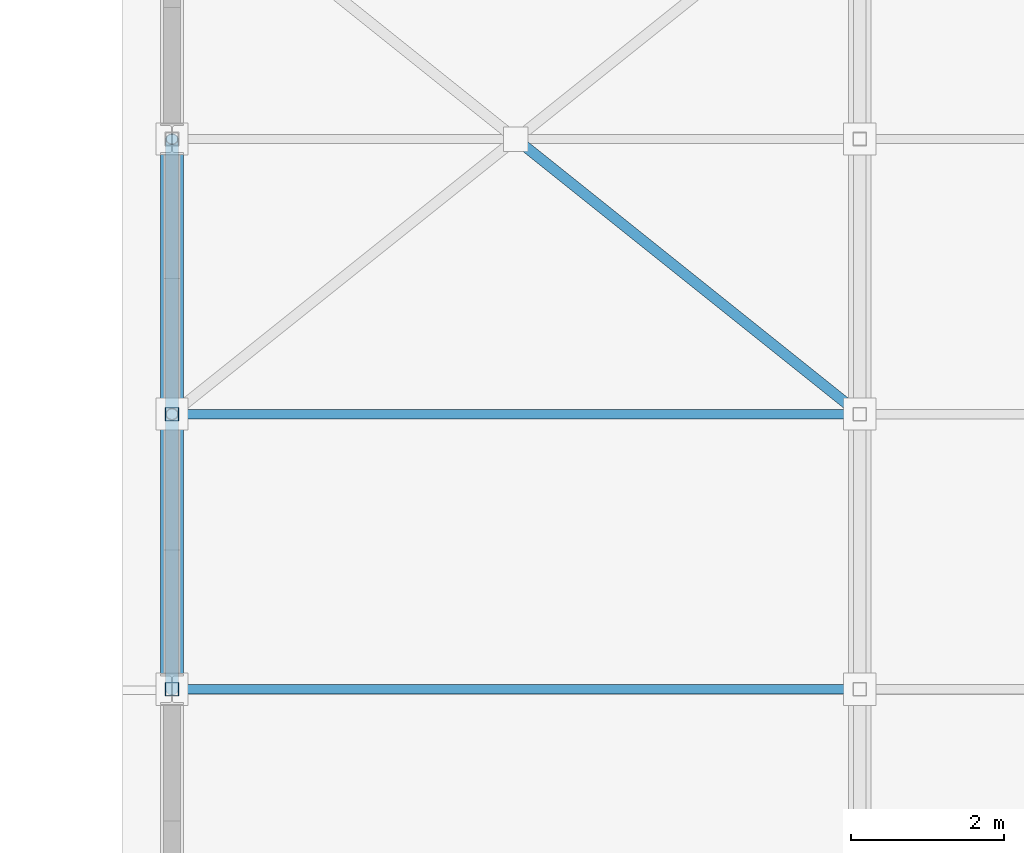
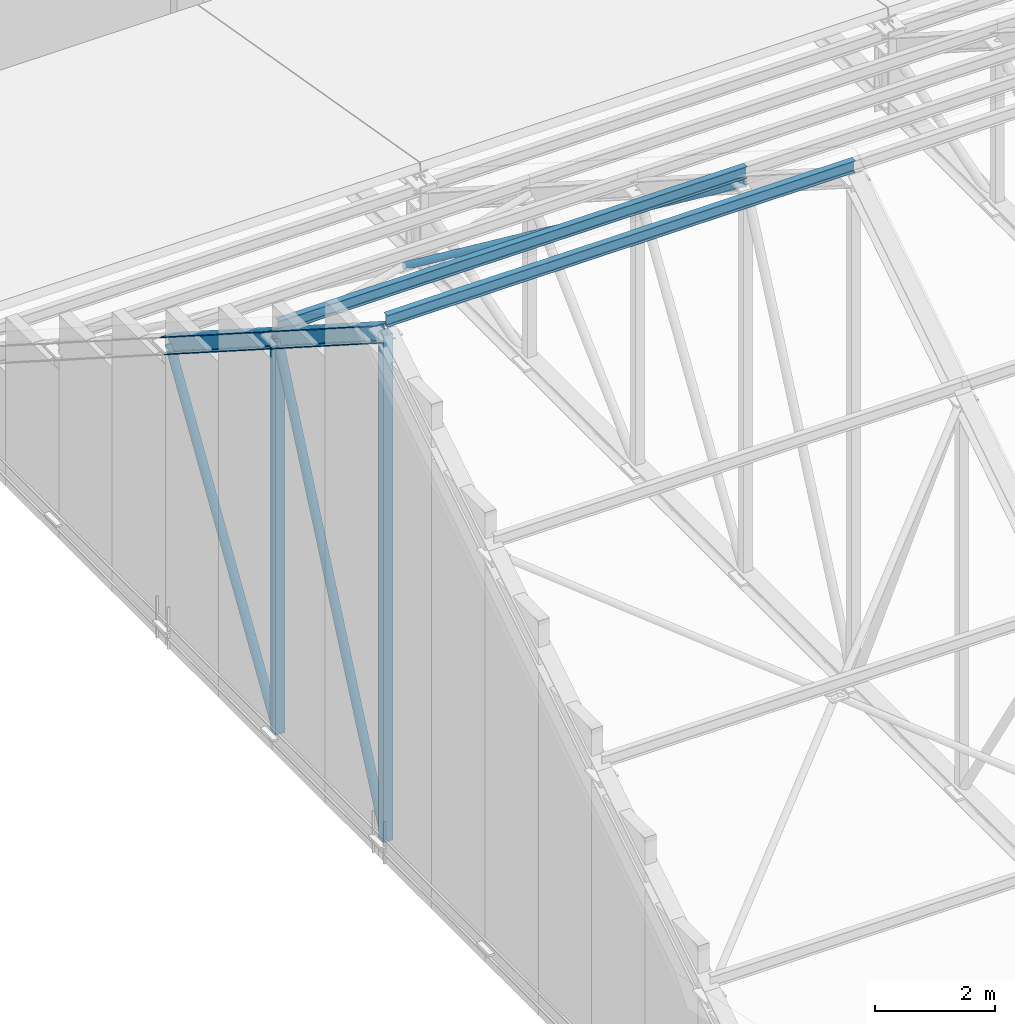
# One storey, part 82 of 182: 9 members.
"""IFC4 building model written with IfcOpenShell, lengths in metres."""

from ifc_helpers import new_model, si_unit, direction, frame, origin, origin_2d, place, context, subcontext, project, spatial, hollow_rectangle, hollow_circle, i_section, extrude, material, material_profile, profile_set, type_object, element, save


model = new_model("IFC4")

# Units and contexts
model_context = context("Model", 3, precision=1e-05, world=origin(), true_north=direction((0.0, 1.0)))
body_context = subcontext(model_context, "Body", "Model", "MODEL_VIEW")
ifc_project = project(units=[si_unit("LENGTHUNIT", "METRE"), si_unit("AREAUNIT", "SQUARE_METRE"), si_unit("VOLUMEUNIT", "CUBIC_METRE"), si_unit("PLANEANGLEUNIT", "RADIAN"), si_unit("MASSUNIT", "GRAM", prefix="KILO")], contexts=[model_context])

# Site, building, storey
site_placement = place(None, origin())
site = spatial("IfcSite", under=ifc_project, at=site_placement, CompositionType="ELEMENT")
building_placement = place(site_placement, origin())
building = spatial("IfcBuilding", under=site, at=building_placement, Name="Chiffa Square Polytechnic", CompositionType="ELEMENT")
storey_placement = place(building_placement, frame((0.0, 0.0, 9.60009765625)))
storey = spatial("IfcBuildingStorey", under=building, at=storey_placement, Name="L02", CompositionType="ELEMENT", Elevation=9.60009765625)

# Members
ifc_material = material(Name="Steel S355", Category="steel")
ifc_material_profile_1 = material_profile(ifc_material, hollow_circle(Radius=0.06982421875, WallThickness=0.008056640625, at=origin_2d()), Name="CHS 139.7x8")
ifc_profile_set_1 = profile_set([ifc_material_profile_1], Name="Steel S355")
member_type_1 = type_object("IfcMemberType", Name="MEM-BRC-CHS140", PredefinedType="BRACE", material=ifc_profile_set_1)
member_1_placement = place(storey_placement, frame((116.699951171875, 79.800048828125, 6.0498046875), z_axis=(0.725231929607, -0.580201282226, 0.370681966625), x_axis=(0.624705380279, 0.780860543151, 0.0)))
element("IfcMember", 1, at=member_1_placement, inside=storey, type_object=member_type_1, Name="Workshop split roof X-brace segment BR-V2-RF-01N2B", PredefinedType="BRACE", context=body_context, shape_type="SweptSolid", body=[
    extrude(hollow_circle(Radius=0.06982421875, WallThickness=0.008056640625, at=origin_2d()), origin(), (0.0, 0.0, 1.0), 6.204833984375),
])
ifc_material_profile_2 = material_profile(ifc_material, i_section(OverallWidth=0.300048828125, OverallDepth=0.31005859375, WebThickness=0.009033203125, FlangeThickness=0.015380859375, FilletRadius=0.027099609375, at=origin_2d()), Name="HEA 320")
ifc_profile_set_2 = profile_set([ifc_material_profile_2], Name="Steel S355")
member_type_2 = type_object("IfcMemberType", Name="MEM-CHORD-HEA320", PredefinedType="CHORD", material=ifc_profile_set_2)
member_2_placement = place(storey_placement, frame((112.199951171875, 72.60009765625, 10.64990234375), z_axis=(0.0, 0.842681134223, -0.538412951205), x_axis=(-1.0, 0.0, 0.0)))
element("IfcMember", 2, at=member_2_placement, inside=storey, type_object=member_type_2, Name="Workshop roof truss top chord TCT-V2-01-05", PredefinedType="CHORD", context=body_context, shape_type="SweptSolid", body=[
    extrude(i_section(OverallWidth=0.300048828125, OverallDepth=0.31005859375, WebThickness=0.009033203125, FlangeThickness=0.015380859375, FilletRadius=0.027099609375, at=origin_2d()), origin(), (0.0, 0.0, 1.0), 4.27197265625),
])
member_3_placement = place(storey_placement, frame((112.199951171875, 76.199951171875, 8.349853515625), z_axis=(0.0, 0.84269770024, -0.538387022512), x_axis=(-1.0, 0.0, 0.0)))
element("IfcMember", 3, at=member_3_placement, inside=storey, type_object=member_type_2, Name="Workshop roof truss top chord TCT-V2-01-06", PredefinedType="CHORD", context=body_context, shape_type="SweptSolid", body=[
    extrude(i_section(OverallWidth=0.300048828125, OverallDepth=0.31005859375, WebThickness=0.009033203125, FlangeThickness=0.015380859375, FilletRadius=0.027099609375, at=origin_2d()), origin(), (0.0, 0.0, 1.0), 4.272216796875),
])
ifc_material_profile_3 = material_profile(ifc_material, i_section(OverallWidth=0.1201171875, OverallDepth=0.239990234375, WebThickness=0.006103515625, FlangeThickness=0.009765625, FilletRadius=0.014892578125, at=origin_2d()), Name="IPE 240")
ifc_profile_set_3 = profile_set([ifc_material_profile_3], Name="Steel S355")
member_type_3 = type_object("IfcMemberType", Name="MEM-PUR-IPE240", PredefinedType="PURLIN", material=ifc_profile_set_3)
for number, where, z_axis, x_axis, name in (
    (4, (112.199951171875, 72.60009765625, 10.89990234375), (1.0, 0.0, 0.0), (0.0, 1.0, 0.0), "Workshop steel roof purlin PU-V2-01-05"),
    (5, (112.199951171875, 76.199951171875, 8.599853515625), (1.0, 0.0, 0.0), (0.0, 1.0, 0.0), "Workshop steel roof purlin PU-V2-01-06"),
):
    element("IfcMember", number, at=place(storey_placement, frame(where, z_axis=z_axis, x_axis=x_axis)), inside=storey, type_object=member_type_3, Name=name, PredefinedType="PURLIN", context=body_context, shape_type="SweptSolid", body=[
        extrude(i_section(OverallWidth=0.1201171875, OverallDepth=0.239990234375, WebThickness=0.006103515625, FlangeThickness=0.009765625, FilletRadius=0.014892578125, at=origin_2d()), origin(), (0.0, 0.0, 1.0), 9.0),
    ])
ifc_material_profile_4 = material_profile(ifc_material, hollow_circle(Radius=0.084228515625, WallThickness=0.010009765625, at=origin_2d()), Name="CHS 168.3x10")
ifc_profile_set_4 = profile_set([ifc_material_profile_4], Name="Steel S355")
member_type_4 = type_object("IfcMemberType", Name="MEM-WEB-CHS168", PredefinedType="MEMBER", material=ifc_profile_set_4)
member_4_placement = place(storey_placement, frame((112.199951171875, 72.60009765625, 0.349853515625), z_axis=(0.0, 0.410350791297, 0.911927753762), x_axis=(-1.0, 0.0, 0.0)))
element("IfcMember", 6, at=member_4_placement, inside=storey, type_object=member_type_4, Name="Workshop roof truss diagonal TWD-V2-01-05", PredefinedType="MEMBER", context=body_context, shape_type="SweptSolid", body=[
    extrude(hollow_circle(Radius=0.084228515625, WallThickness=0.010009765625, at=origin_2d()), origin(), (0.0, 0.0, 1.0), 8.772705078125),
])
member_5_placement = place(storey_placement, frame((112.199951171875, 76.199951171875, 0.349853515625), z_axis=(0.0, 0.53400661626, 0.845480297695), x_axis=(-1.0, 0.0, 0.0)))
element("IfcMember", 7, at=member_5_placement, inside=storey, type_object=member_type_4, Name="Workshop roof truss diagonal TWD-V2-01-06", PredefinedType="MEMBER", context=body_context, shape_type="SweptSolid", body=[
    extrude(hollow_circle(Radius=0.084228515625, WallThickness=0.010009765625, at=origin_2d()), origin(), (0.0, 0.0, 1.0), 6.74169921875),
])
ifc_material_profile_5 = material_profile(ifc_material, hollow_rectangle(XDim=0.179931640625, YDim=0.179931640625, WallThickness=0.010009765625, at=origin_2d()), Name="RHS 180x180x10")
ifc_profile_set_5 = profile_set([ifc_material_profile_5], Name="Steel S355")
member_type_5 = type_object("IfcMemberType", Name="MEM-WEB-RHS180", PredefinedType="MEMBER", material=ifc_profile_set_5)
member_6_placement = place(storey_placement, frame((112.199951171875, 72.60009765625, 0.349853515625), z_axis=(0.0, 0.0, 1.0), x_axis=(1.0, 0.0, 0.0)))
element("IfcMember", 8, at=member_6_placement, inside=storey, type_object=member_type_5, Name="Workshop roof truss vertical TWV-V2-01-05", PredefinedType="MEMBER", context=body_context, shape_type="SweptSolid", body=[
    extrude(hollow_rectangle(XDim=0.179931640625, YDim=0.179931640625, WallThickness=0.010009765625, at=origin_2d()), origin(), (0.0, 0.0, 1.0), 10.300048828125),
])
member_7_placement = place(storey_placement, frame((112.199951171875, 76.199951171875, 0.349853515625), z_axis=(0.0, 0.0, 1.0), x_axis=(1.0, 0.0, 0.0)))
element("IfcMember", 9, at=member_7_placement, inside=storey, type_object=member_type_5, Name="Workshop roof truss vertical TWV-V2-01-06", PredefinedType="MEMBER", context=body_context, shape_type="SweptSolid", body=[
    extrude(hollow_rectangle(XDim=0.179931640625, YDim=0.179931640625, WallThickness=0.010009765625, at=origin_2d()), origin(), (0.0, 0.0, 1.0), 8.0),
])

save(model, "model.ifc")
